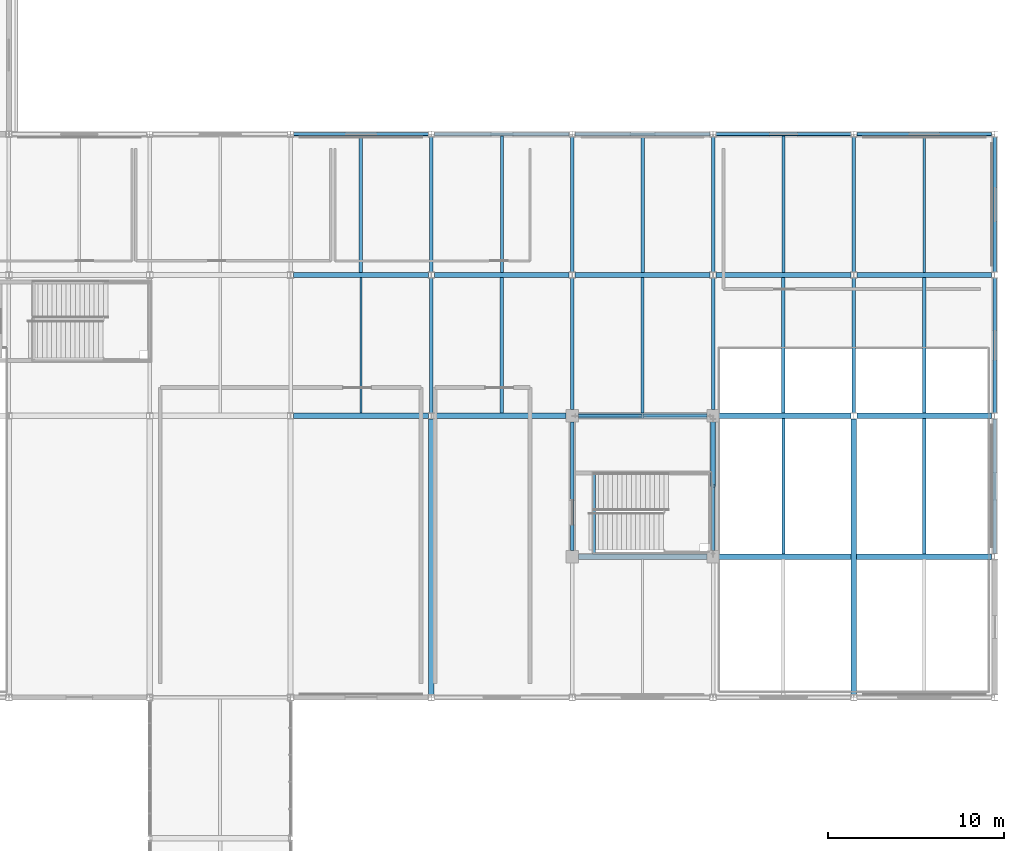
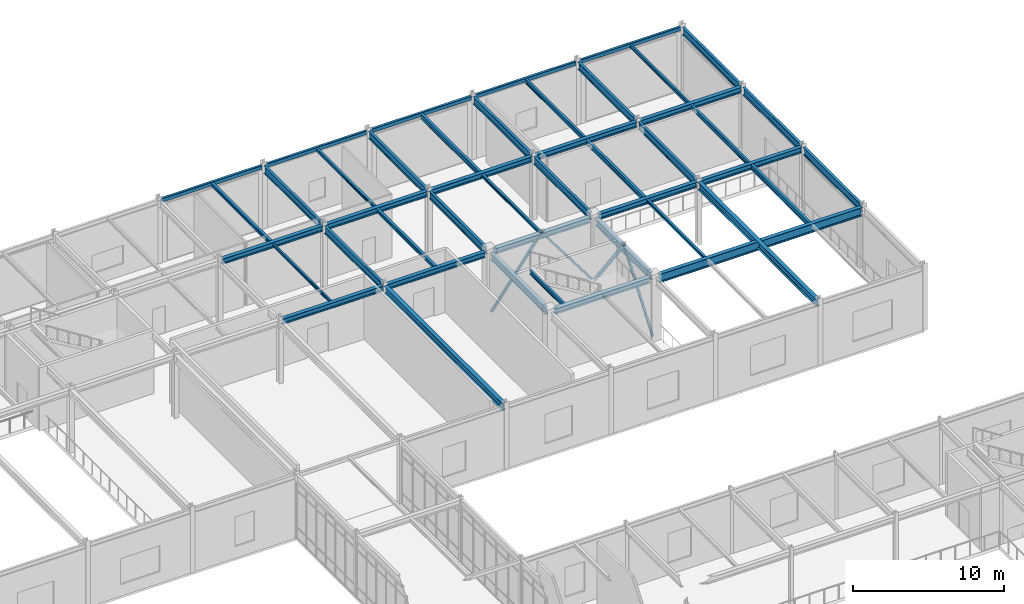
# One storey, part 80 of 184: 45 beams, 4 members.
"""IFC4 building model written with IfcOpenShell, lengths in metres."""

from ifc_helpers import new_model, si_unit, direction, frame, origin, origin_2d, place, context, subcontext, project, spatial, hollow_rectangle, hollow_circle, i_section, extrude, material, material_profile, profile_set, type_object, element, save


model = new_model("IFC4")

# Units and contexts
model_context = context("Model", 3, precision=1e-05, world=origin(), true_north=direction((0.0, 1.0)))
body_context = subcontext(model_context, "Body", "Model", "MODEL_VIEW")
ifc_project = project(units=[si_unit("LENGTHUNIT", "METRE"), si_unit("AREAUNIT", "SQUARE_METRE"), si_unit("VOLUMEUNIT", "CUBIC_METRE"), si_unit("PLANEANGLEUNIT", "RADIAN"), si_unit("MASSUNIT", "GRAM", prefix="KILO")], contexts=[model_context])

# Site, building, storey
site_placement = place(None, origin())
site = spatial("IfcSite", under=ifc_project, at=site_placement, CompositionType="ELEMENT")
building_placement = place(site_placement, origin())
building = spatial("IfcBuilding", under=site, at=building_placement, Name="Zhaolan Boulevard Law Courts", CompositionType="ELEMENT")
storey_placement = place(building_placement, frame((0.0, 0.0, 5.39990234375)))
storey = spatial("IfcBuildingStorey", under=building, at=storey_placement, Name="L01", CompositionType="ELEMENT", Elevation=5.39990234375)

# Members
ifc_material_1 = material(Name="Structural steel Q355B", Category="steel")
ifc_material_profile_1 = material_profile(ifc_material_1, hollow_circle(Radius=0.136474609375, WallThickness=0.010009765625, at=origin_2d()), Name="CHS273x10")
ifc_profile_set_1 = profile_set([ifc_material_profile_1], Name="Structural steel Q355B")
member_type_1 = type_object("IfcMemberType", Name="BRACE CHS273", PredefinedType="BRACE", material=ifc_profile_set_1)
member_1_placement = place(storey_placement, frame((148.0, 77.820068359375, 0.030029296875), z_axis=(0.0, -0.600251625626, 0.799811218935), x_axis=(1.0, 0.0, 0.0)))
element("IfcMember", 1, at=member_1_placement, inside=storey, type_object=member_type_1, Name="Core Brace BR-T2-L01-E2", PredefinedType="BRACE", context=body_context, shape_type="SweptSolid", body=[
    extrude(hollow_circle(Radius=0.136474609375, WallThickness=0.010009765625, at=origin_2d()), origin(), (0.0, 0.0, 1.0), 6.364013671875),
])
ifc_material_2 = material(Name="Structural steel Q355B", Category="steel")
ifc_material_profile_2 = material_profile(ifc_material_2, hollow_rectangle(XDim=0.159912109375, YDim=0.159912109375, WallThickness=0.008056640625, InnerFilletRadius=0.008056640625, OuterFilletRadius=0.01611328125, at=origin_2d()), Name="HSS160x160x8")
ifc_profile_set_2 = profile_set([ifc_material_profile_2], Name="Structural steel Q355B")
member_type_2 = type_object("IfcMemberType", Name="BRACE HSS160", PredefinedType="BRACE", material=ifc_profile_set_2)
for number, where, z_axis, x_axis, name in (
    (2, (147.820068359375, 78.0, 0.030029296875), (-0.600251625626, 0.0, 0.799811218935), (0.0, -1.0, 0.0), "Core Brace BR-T2-L01-N2"),
    (3, (148.0, 70.179931640625, 0.030029296875), (0.0, 0.600251625626, 0.799811218935), (-1.0, 0.0, 0.0), "Core Brace BR-T2-L01-E1"),
):
    element("IfcMember", number, at=place(storey_placement, frame(where, z_axis=z_axis, x_axis=x_axis)), inside=storey, type_object=member_type_2, Name=name, PredefinedType="BRACE", context=body_context, shape_type="SweptSolid", body=[
        extrude(hollow_rectangle(XDim=0.159912109375, YDim=0.159912109375, WallThickness=0.008056640625, InnerFilletRadius=0.008056640625, OuterFilletRadius=0.01611328125, at=origin_2d()), origin(), (0.0, 0.0, 1.0), 6.364013671875),
    ])
ifc_material_3 = material(Name="Structural steel Q355B", Category="steel")
ifc_material_profile_3 = material_profile(ifc_material_3, hollow_rectangle(XDim=0.179931640625, YDim=0.179931640625, WallThickness=0.008056640625, InnerFilletRadius=0.008056640625, OuterFilletRadius=0.01611328125, at=origin_2d()), Name="HSS180x180x8")
ifc_profile_set_3 = profile_set([ifc_material_profile_3], Name="Structural steel Q355B")
member_type_3 = type_object("IfcMemberType", Name="BRACE HSS180", PredefinedType="BRACE", material=ifc_profile_set_3)
member_2_placement = place(storey_placement, frame((140.179931640625, 78.0, 0.030029296875), z_axis=(0.600251625626, 0.0, 0.799811218935), x_axis=(0.0, 1.0, 0.0)))
element("IfcMember", 4, at=member_2_placement, inside=storey, type_object=member_type_3, Name="Core Brace BR-T2-L01-N1", PredefinedType="BRACE", context=body_context, shape_type="SweptSolid", body=[
    extrude(hollow_rectangle(XDim=0.179931640625, YDim=0.179931640625, WallThickness=0.008056640625, InnerFilletRadius=0.008056640625, OuterFilletRadius=0.01611328125, at=origin_2d()), origin(), (0.0, 0.0, 1.0), 6.364013671875),
])

# Beams
ifc_material_4 = material(Name="Structural steel Q355B", Category="steel")
ifc_material_profile_4 = material_profile(ifc_material_4, i_section(OverallWidth=0.300048828125, OverallDepth=0.43994140625, WebThickness=0.010986328125, FlangeThickness=0.01806640625, FilletRadius=0.02001953125, at=origin_2d()), Name="HM440x300")
ifc_profile_set_4 = profile_set([ifc_material_profile_4], Name="Structural steel Q355B")
beam_type_1 = type_object("IfcBeamType", Name="GIRDER HM440", PredefinedType="BEAM", material=ifc_profile_set_4)
beam_1_placement = place(storey_placement, frame((140.345947265625, 70.0, 4.898193359375), z_axis=(1.0, 0.0, 0.0), x_axis=(0.0, 1.0, 0.0)))
element("IfcBeam", 5, at=beam_1_placement, inside=storey, type_object=beam_type_1, Name="Beam BX-L02-18-19-K", PredefinedType="BEAM", context=body_context, shape_type="SweptSolid", body=[
    extrude(i_section(OverallWidth=0.300048828125, OverallDepth=0.43994140625, WebThickness=0.010986328125, FlangeThickness=0.01806640625, FilletRadius=0.02001953125, at=origin_2d()), origin(), (0.0, 0.0, 1.0), 7.30810546875),
])
beam_2_placement = place(storey_placement, frame((124.1708984375, 78.0, 4.898193359375), z_axis=(1.0, 0.0, 0.0), x_axis=(0.0, 1.0, 0.0)))
element("IfcBeam", 6, at=beam_2_placement, inside=storey, type_object=beam_type_1, Name="Beam BX-L02-16-17-L", PredefinedType="BEAM", context=body_context, shape_type="SweptSolid", body=[
    extrude(i_section(OverallWidth=0.300048828125, OverallDepth=0.43994140625, WebThickness=0.010986328125, FlangeThickness=0.01806640625, FilletRadius=0.02001953125, at=origin_2d()), origin(), (0.0, 0.0, 1.0), 7.658203125),
])
beam_3_placement = place(storey_placement, frame((132.1708984375, 78.0, 4.898193359375), z_axis=(1.0, 0.0, 0.0), x_axis=(0.0, 1.0, 0.0)))
element("IfcBeam", 7, at=beam_3_placement, inside=storey, type_object=beam_type_1, Name="Beam BX-L02-17-18-L", PredefinedType="BEAM", context=body_context, shape_type="SweptSolid", body=[
    extrude(i_section(OverallWidth=0.300048828125, OverallDepth=0.43994140625, WebThickness=0.010986328125, FlangeThickness=0.01806640625, FilletRadius=0.02001953125, at=origin_2d()), origin(), (0.0, 0.0, 1.0), 7.483154296875),
])
beam_4_placement = place(storey_placement, frame((140.345947265625, 78.0, 4.898193359375), z_axis=(1.0, 0.0, 0.0), x_axis=(0.0, 1.0, 0.0)))
element("IfcBeam", 8, at=beam_4_placement, inside=storey, type_object=beam_type_1, Name="Beam BX-L02-18-19-L", PredefinedType="BEAM", context=body_context, shape_type="SweptSolid", body=[
    extrude(i_section(OverallWidth=0.300048828125, OverallDepth=0.43994140625, WebThickness=0.010986328125, FlangeThickness=0.01806640625, FilletRadius=0.02001953125, at=origin_2d()), origin(), (0.0, 0.0, 1.0), 7.30810546875),
])
beam_5_placement = place(storey_placement, frame((148.345947265625, 78.0, 4.898193359375), z_axis=(1.0, 0.0, 0.0), x_axis=(0.0, 1.0, 0.0)))
element("IfcBeam", 9, at=beam_5_placement, inside=storey, type_object=beam_type_1, Name="Beam BX-L02-19-20-L", PredefinedType="BEAM", context=body_context, shape_type="SweptSolid", body=[
    extrude(i_section(OverallWidth=0.300048828125, OverallDepth=0.43994140625, WebThickness=0.010986328125, FlangeThickness=0.01806640625, FilletRadius=0.02001953125, at=origin_2d()), origin(), (0.0, 0.0, 1.0), 7.483154296875),
])
for number, where, z_axis, x_axis, name in (
    (10, (156.1708984375, 78.0, 4.898193359375), (1.0, 0.0, 0.0), (0.0, 1.0, 0.0), "Beam BX-L02-20-21-L"),
    (11, (124.1708984375, 86.0, 4.898193359375), (1.0, 0.0, 0.0), (0.0, 1.0, 0.0), "Beam BX-L02-16-17-M"),
    (12, (132.1708984375, 86.0, 4.898193359375), (1.0, 0.0, 0.0), (0.0, 1.0, 0.0), "Beam BX-L02-17-18-M"),
    (13, (140.1708984375, 86.0, 4.898193359375), (1.0, 0.0, 0.0), (0.0, 1.0, 0.0), "Beam BX-L02-18-19-M"),
    (14, (148.1708984375, 86.0, 4.898193359375), (1.0, 0.0, 0.0), (0.0, 1.0, 0.0), "Beam BX-L02-19-20-M"),
    (15, (156.1708984375, 86.0, 4.898193359375), (1.0, 0.0, 0.0), (0.0, 1.0, 0.0), "Beam BX-L02-20-21-M"),
):
    element("IfcBeam", number, at=place(storey_placement, frame(where, z_axis=z_axis, x_axis=x_axis)), inside=storey, type_object=beam_type_1, Name=name, PredefinedType="BEAM", context=body_context, shape_type="SweptSolid", body=[
        extrude(i_section(OverallWidth=0.300048828125, OverallDepth=0.43994140625, WebThickness=0.010986328125, FlangeThickness=0.01806640625, FilletRadius=0.02001953125, at=origin_2d()), origin(), (0.0, 0.0, 1.0), 7.658203125),
    ])
ifc_material_5 = material(Name="Structural steel Q390B", Category="steel")
ifc_material_profile_5 = material_profile(ifc_material_5, i_section(OverallWidth=0.300048828125, OverallDepth=0.587890625, WebThickness=0.011962890625, FlangeThickness=0.02001953125, FilletRadius=0.02392578125, at=origin_2d()), Name="HM588x300")
ifc_profile_set_5 = profile_set([ifc_material_profile_5], Name="Structural steel Q390B")
beam_type_2 = type_object("IfcBeamType", Name="GIRDER HM588", PredefinedType="BEAM", material=ifc_profile_set_5)
for number, where, z_axis, x_axis, name in (
    (16, (132.0, 62.1708984375, 4.82421875), (0.0, 1.0, 0.0), (-1.0, 0.0, 0.0), "Beam BY-L02-17-J-L"),
    (17, (156.0, 62.1708984375, 4.82421875), (0.0, 1.0, 0.0), (-1.0, 0.0, 0.0), "Beam BY-L02-20-J-L"),
):
    element("IfcBeam", number, at=place(storey_placement, frame(where, z_axis=z_axis, x_axis=x_axis)), inside=storey, type_object=beam_type_2, Name=name, PredefinedType="BEAM", context=body_context, shape_type="SweptSolid", body=[
        extrude(i_section(OverallWidth=0.300048828125, OverallDepth=0.587890625, WebThickness=0.011962890625, FlangeThickness=0.02001953125, FilletRadius=0.02392578125, at=origin_2d()), origin(), (0.0, 0.0, 1.0), 15.658203125),
    ])
ifc_material_6 = material(Name="Structural steel Q355B", Category="steel")
ifc_material_profile_6 = material_profile(ifc_material_6, i_section(OverallWidth=0.199951171875, OverallDepth=0.60009765625, WebThickness=0.010986328125, FlangeThickness=0.01708984375, FilletRadius=0.02001953125, at=origin_2d()), Name="HN600x200")
ifc_profile_set_6 = profile_set([ifc_material_profile_6], Name="Structural steel Q355B")
beam_type_3 = type_object("IfcBeamType", Name="GIRDER HN600", PredefinedType="BEAM", material=ifc_profile_set_6)
for number, where, z_axis, x_axis, name in (
    (18, (132.0, 78.1708984375, 4.818115234375), (0.0, 1.0, 0.0), (-1.0, 0.0, 0.0), "Beam BY-L02-17-L-M"),
    (19, (132.0, 86.1708984375, 4.818115234375), (0.0, 1.0, 0.0), (-1.0, 0.0, 0.0), "Beam BY-L02-17-M-N"),
):
    element("IfcBeam", number, at=place(storey_placement, frame(where, z_axis=z_axis, x_axis=x_axis)), inside=storey, type_object=beam_type_3, Name=name, PredefinedType="BEAM", context=body_context, shape_type="SweptSolid", body=[
        extrude(i_section(OverallWidth=0.199951171875, OverallDepth=0.60009765625, WebThickness=0.010986328125, FlangeThickness=0.01708984375, FilletRadius=0.02001953125, at=origin_2d()), origin(), (0.0, 0.0, 1.0), 7.658203125),
    ])
beam_6_placement = place(storey_placement, frame((140.0, 70.345947265625, 4.818115234375), z_axis=(0.0, 1.0, 0.0), x_axis=(-1.0, 0.0, 0.0)))
element("IfcBeam", 20, at=beam_6_placement, inside=storey, type_object=beam_type_3, Name="Beam BY-L02-18-K-L", PredefinedType="BEAM", context=body_context, shape_type="SweptSolid", body=[
    extrude(i_section(OverallWidth=0.199951171875, OverallDepth=0.60009765625, WebThickness=0.010986328125, FlangeThickness=0.01708984375, FilletRadius=0.02001953125, at=origin_2d()), origin(), (0.0, 0.0, 1.0), 7.30810546875),
])
beam_7_placement = place(storey_placement, frame((140.0, 78.345947265625, 4.818115234375), z_axis=(0.0, 1.0, 0.0), x_axis=(-1.0, 0.0, 0.0)))
element("IfcBeam", 21, at=beam_7_placement, inside=storey, type_object=beam_type_3, Name="Beam BY-L02-18-L-M", PredefinedType="BEAM", context=body_context, shape_type="SweptSolid", body=[
    extrude(i_section(OverallWidth=0.199951171875, OverallDepth=0.60009765625, WebThickness=0.010986328125, FlangeThickness=0.01708984375, FilletRadius=0.02001953125, at=origin_2d()), origin(), (0.0, 0.0, 1.0), 7.483154296875),
])
beam_8_placement = place(storey_placement, frame((140.0, 86.1708984375, 4.818115234375), z_axis=(0.0, 1.0, 0.0), x_axis=(-1.0, 0.0, 0.0)))
element("IfcBeam", 22, at=beam_8_placement, inside=storey, type_object=beam_type_3, Name="Beam BY-L02-18-M-N", PredefinedType="BEAM", context=body_context, shape_type="SweptSolid", body=[
    extrude(i_section(OverallWidth=0.199951171875, OverallDepth=0.60009765625, WebThickness=0.010986328125, FlangeThickness=0.01708984375, FilletRadius=0.02001953125, at=origin_2d()), origin(), (0.0, 0.0, 1.0), 7.658203125),
])
beam_9_placement = place(storey_placement, frame((148.0, 70.345947265625, 4.818115234375), z_axis=(0.0, 1.0, 0.0), x_axis=(-1.0, 0.0, 0.0)))
element("IfcBeam", 23, at=beam_9_placement, inside=storey, type_object=beam_type_3, Name="Beam BY-L02-19-K-L", PredefinedType="BEAM", context=body_context, shape_type="SweptSolid", body=[
    extrude(i_section(OverallWidth=0.199951171875, OverallDepth=0.60009765625, WebThickness=0.010986328125, FlangeThickness=0.01708984375, FilletRadius=0.02001953125, at=origin_2d()), origin(), (0.0, 0.0, 1.0), 7.30810546875),
])
beam_10_placement = place(storey_placement, frame((148.0, 78.345947265625, 4.818115234375), z_axis=(0.0, 1.0, 0.0), x_axis=(-1.0, 0.0, 0.0)))
element("IfcBeam", 24, at=beam_10_placement, inside=storey, type_object=beam_type_3, Name="Beam BY-L02-19-L-M", PredefinedType="BEAM", context=body_context, shape_type="SweptSolid", body=[
    extrude(i_section(OverallWidth=0.199951171875, OverallDepth=0.60009765625, WebThickness=0.010986328125, FlangeThickness=0.01708984375, FilletRadius=0.02001953125, at=origin_2d()), origin(), (0.0, 0.0, 1.0), 7.483154296875),
])
for number, where, z_axis, x_axis, name in (
    (25, (148.0, 86.1708984375, 4.818115234375), (0.0, 1.0, 0.0), (-1.0, 0.0, 0.0), "Beam BY-L02-19-M-N"),
    (26, (156.0, 78.1708984375, 4.818115234375), (0.0, 1.0, 0.0), (-1.0, 0.0, 0.0), "Beam BY-L02-20-L-M"),
    (27, (156.0, 86.1708984375, 4.818115234375), (0.0, 1.0, 0.0), (-1.0, 0.0, 0.0), "Beam BY-L02-20-M-N"),
    (28, (164.0, 70.1708984375, 4.818115234375), (0.0, 1.0, 0.0), (-1.0, 0.0, 0.0), "Beam BY-L02-21-K-L"),
    (29, (164.0, 78.1708984375, 4.818115234375), (0.0, 1.0, 0.0), (-1.0, 0.0, 0.0), "Beam BY-L02-21-L-M"),
    (30, (164.0, 86.1708984375, 4.818115234375), (0.0, 1.0, 0.0), (-1.0, 0.0, 0.0), "Beam BY-L02-21-M-N"),
):
    element("IfcBeam", number, at=place(storey_placement, frame(where, z_axis=z_axis, x_axis=x_axis)), inside=storey, type_object=beam_type_3, Name=name, PredefinedType="BEAM", context=body_context, shape_type="SweptSolid", body=[
        extrude(i_section(OverallWidth=0.199951171875, OverallDepth=0.60009765625, WebThickness=0.010986328125, FlangeThickness=0.01708984375, FilletRadius=0.02001953125, at=origin_2d()), origin(), (0.0, 0.0, 1.0), 7.658203125),
    ])
ifc_material_7 = material(Name="Structural steel Q390B", Category="steel")
ifc_material_profile_7 = material_profile(ifc_material_7, i_section(OverallWidth=0.300048828125, OverallDepth=0.699951171875, WebThickness=0.012939453125, FlangeThickness=0.02392578125, FilletRadius=0.02392578125, at=origin_2d()), Name="HN700x300")
ifc_profile_set_7 = profile_set([ifc_material_profile_7], Name="Structural steel Q390B")
beam_type_4 = type_object("IfcBeamType", Name="GIRDER HN700", PredefinedType="BEAM", material=ifc_profile_set_7)
beam_11_placement = place(storey_placement, frame((148.345947265625, 70.0, 4.76806640625), z_axis=(1.0, 0.0, 0.0), x_axis=(0.0, 1.0, 0.0)))
element("IfcBeam", 31, at=beam_11_placement, inside=storey, type_object=beam_type_4, Name="Beam BX-L02-19-21-K", PredefinedType="BEAM", context=body_context, shape_type="SweptSolid", body=[
    extrude(i_section(OverallWidth=0.300048828125, OverallDepth=0.699951171875, WebThickness=0.012939453125, FlangeThickness=0.02392578125, FilletRadius=0.02392578125, at=origin_2d()), origin(), (0.0, 0.0, 1.0), 15.483154296875),
])
ifc_material_8 = material(Name="Structural steel Q355B", Category="steel")
ifc_material_profile_8 = material_profile(ifc_material_8, i_section(OverallWidth=0.175048828125, OverallDepth=0.243896484375, WebThickness=0.007080078125, FlangeThickness=0.010986328125, FilletRadius=0.012939453125, at=origin_2d()), Name="HM244x175")
ifc_profile_set_8 = profile_set([ifc_material_profile_8], Name="Structural steel Q355B")
beam_type_5 = type_object("IfcBeamType", Name="JOIST HM244", PredefinedType="JOIST", material=ifc_profile_set_8)
beam_12_placement = place(storey_placement, frame((136.0, 86.14599609375, 4.99609375), z_axis=(0.0, 1.0, 0.0), x_axis=(-1.0, 0.0, 0.0)))
element("IfcBeam", 32, at=beam_12_placement, inside=storey, type_object=beam_type_5, Name="Composite Joist J-L02-17M", PredefinedType="JOIST", context=body_context, shape_type="SweptSolid", body=[
    extrude(i_section(OverallWidth=0.175048828125, OverallDepth=0.243896484375, WebThickness=0.007080078125, FlangeThickness=0.010986328125, FilletRadius=0.012939453125, at=origin_2d()), origin(), (0.0, 0.0, 1.0), 7.758056640625),
])
for number, where, z_axis, x_axis, name in (
    (33, (144.0, 78.14599609375, 4.99609375), (0.0, 1.0, 0.0), (-1.0, 0.0, 0.0), "Composite Joist J-L02-18L"),
    (34, (152.0, 70.14599609375, 4.99609375), (0.0, 1.0, 0.0), (-1.0, 0.0, 0.0), "Composite Joist J-L02-19K"),
):
    element("IfcBeam", number, at=place(storey_placement, frame(where, z_axis=z_axis, x_axis=x_axis)), inside=storey, type_object=beam_type_5, Name=name, PredefinedType="JOIST", context=body_context, shape_type="SweptSolid", body=[
        extrude(i_section(OverallWidth=0.175048828125, OverallDepth=0.243896484375, WebThickness=0.007080078125, FlangeThickness=0.010986328125, FilletRadius=0.012939453125, at=origin_2d()), origin(), (0.0, 0.0, 1.0), 7.7080078125),
    ])
ifc_material_9 = material(Name="Structural steel Q355B", Category="steel")
ifc_material_profile_9 = material_profile(ifc_material_9, i_section(OverallWidth=0.199951171875, OverallDepth=0.2939453125, WebThickness=0.008056640625, FlangeThickness=0.011962890625, FilletRadius=0.01611328125, at=origin_2d()), Name="HM294x200")
ifc_profile_set_9 = profile_set([ifc_material_profile_9], Name="Structural steel Q355B")
beam_type_6 = type_object("IfcBeamType", Name="JOIST HM294", PredefinedType="JOIST", material=ifc_profile_set_9)
beam_13_placement = place(storey_placement, frame((128.0, 86.14599609375, 4.97119140625), z_axis=(0.0, 1.0, 0.0), x_axis=(-1.0, 0.0, 0.0)))
element("IfcBeam", 35, at=beam_13_placement, inside=storey, type_object=beam_type_6, Name="Composite Joist J-L02-16M", PredefinedType="JOIST", context=body_context, shape_type="SweptSolid", body=[
    extrude(i_section(OverallWidth=0.199951171875, OverallDepth=0.2939453125, WebThickness=0.008056640625, FlangeThickness=0.011962890625, FilletRadius=0.01611328125, at=origin_2d()), origin(), (0.0, 0.0, 1.0), 7.758056640625),
])
beam_14_placement = place(storey_placement, frame((136.0, 78.14599609375, 4.97119140625), z_axis=(0.0, 1.0, 0.0), x_axis=(-1.0, 0.0, 0.0)))
element("IfcBeam", 36, at=beam_14_placement, inside=storey, type_object=beam_type_6, Name="Composite Joist J-L02-17L", PredefinedType="JOIST", context=body_context, shape_type="SweptSolid", body=[
    extrude(i_section(OverallWidth=0.199951171875, OverallDepth=0.2939453125, WebThickness=0.008056640625, FlangeThickness=0.011962890625, FilletRadius=0.01611328125, at=origin_2d()), origin(), (0.0, 0.0, 1.0), 7.7080078125),
])
ifc_material_10 = material(Name="Structural steel Q355B", Category="steel")
ifc_material_profile_10 = material_profile(ifc_material_10, i_section(OverallWidth=0.125, OverallDepth=0.25, WebThickness=0.006103515625, FlangeThickness=0.009033203125, FilletRadius=0.010009765625, at=origin_2d()), Name="HN250x125")
ifc_profile_set_10 = profile_set([ifc_material_profile_10], Name="Structural steel Q355B")
beam_type_7 = type_object("IfcBeamType", Name="JOIST HN250", PredefinedType="JOIST", material=ifc_profile_set_10)
beam_15_placement = place(storey_placement, frame((128.0, 78.14599609375, 4.9931640625), z_axis=(0.0, 1.0, 0.0), x_axis=(-1.0, 0.0, 0.0)))
element("IfcBeam", 37, at=beam_15_placement, inside=storey, type_object=beam_type_7, Name="Composite Joist J-L02-16L", PredefinedType="JOIST", context=body_context, shape_type="SweptSolid", body=[
    extrude(i_section(OverallWidth=0.125, OverallDepth=0.25, WebThickness=0.006103515625, FlangeThickness=0.009033203125, FilletRadius=0.010009765625, at=origin_2d()), origin(), (0.0, 0.0, 1.0), 7.7080078125),
])
ifc_material_11 = material(Name="Structural steel Q355B", Category="steel")
ifc_material_profile_11 = material_profile(ifc_material_11, i_section(OverallWidth=0.14990234375, OverallDepth=0.300048828125, WebThickness=0.006591796875, FlangeThickness=0.009033203125, FilletRadius=0.010986328125, at=origin_2d()), Name="HN300x150")
ifc_profile_set_11 = profile_set([ifc_material_profile_11], Name="Structural steel Q355B")
beam_type_8 = type_object("IfcBeamType", Name="JOIST HN300", PredefinedType="JOIST", material=ifc_profile_set_11)
beam_16_placement = place(storey_placement, frame((160.0, 86.14599609375, 4.968017578125), z_axis=(0.0, 1.0, 0.0), x_axis=(-1.0, 0.0, 0.0)))
element("IfcBeam", 38, at=beam_16_placement, inside=storey, type_object=beam_type_8, Name="Composite Joist J-L02-20M", PredefinedType="JOIST", context=body_context, shape_type="SweptSolid", body=[
    extrude(i_section(OverallWidth=0.14990234375, OverallDepth=0.300048828125, WebThickness=0.006591796875, FlangeThickness=0.009033203125, FilletRadius=0.010986328125, at=origin_2d()), origin(), (0.0, 0.0, 1.0), 7.758056640625),
])
ifc_material_12 = material(Name="Structural steel Q355B", Category="steel")
ifc_material_profile_12 = material_profile(ifc_material_12, i_section(OverallWidth=0.175048828125, OverallDepth=0.35009765625, WebThickness=0.007080078125, FlangeThickness=0.010986328125, FilletRadius=0.012939453125, at=origin_2d()), Name="HN350x175")
ifc_profile_set_12 = profile_set([ifc_material_profile_12], Name="Structural steel Q355B")
beam_type_9 = type_object("IfcBeamType", Name="JOIST HN350", PredefinedType="JOIST", material=ifc_profile_set_12)
beam_17_placement = place(storey_placement, frame((152.0, 86.14599609375, 4.943115234375), z_axis=(0.0, 1.0, 0.0), x_axis=(-1.0, 0.0, 0.0)))
element("IfcBeam", 39, at=beam_17_placement, inside=storey, type_object=beam_type_9, Name="Composite Joist J-L02-19M", PredefinedType="JOIST", context=body_context, shape_type="SweptSolid", body=[
    extrude(i_section(OverallWidth=0.175048828125, OverallDepth=0.35009765625, WebThickness=0.007080078125, FlangeThickness=0.010986328125, FilletRadius=0.012939453125, at=origin_2d()), origin(), (0.0, 0.0, 1.0), 7.758056640625),
])
beam_18_placement = place(storey_placement, frame((160.0, 78.14599609375, 4.943115234375), z_axis=(0.0, 1.0, 0.0), x_axis=(-1.0, 0.0, 0.0)))
element("IfcBeam", 40, at=beam_18_placement, inside=storey, type_object=beam_type_9, Name="Composite Joist J-L02-20L", PredefinedType="JOIST", context=body_context, shape_type="SweptSolid", body=[
    extrude(i_section(OverallWidth=0.175048828125, OverallDepth=0.35009765625, WebThickness=0.007080078125, FlangeThickness=0.010986328125, FilletRadius=0.012939453125, at=origin_2d()), origin(), (0.0, 0.0, 1.0), 7.7080078125),
])
ifc_material_13 = material(Name="Structural steel Q355B", Category="steel")
ifc_material_profile_13 = material_profile(ifc_material_13, i_section(OverallWidth=0.199951171875, OverallDepth=0.39990234375, WebThickness=0.008056640625, FlangeThickness=0.012939453125, FilletRadius=0.013916015625, at=origin_2d()), Name="HN400x200")
ifc_profile_set_13 = profile_set([ifc_material_profile_13], Name="Structural steel Q355B")
beam_type_10 = type_object("IfcBeamType", Name="JOIST HN400", PredefinedType="JOIST", material=ifc_profile_set_13)
beam_19_placement = place(storey_placement, frame((144.0, 86.14599609375, 4.918212890625), z_axis=(0.0, 1.0, 0.0), x_axis=(-1.0, 0.0, 0.0)))
element("IfcBeam", 41, at=beam_19_placement, inside=storey, type_object=beam_type_10, Name="Composite Joist J-L02-18M", PredefinedType="JOIST", context=body_context, shape_type="SweptSolid", body=[
    extrude(i_section(OverallWidth=0.199951171875, OverallDepth=0.39990234375, WebThickness=0.008056640625, FlangeThickness=0.012939453125, FilletRadius=0.013916015625, at=origin_2d()), origin(), (0.0, 0.0, 1.0), 7.758056640625),
])
for number, where, z_axis, x_axis, name in (
    (42, (152.0, 78.14599609375, 4.918212890625), (0.0, 1.0, 0.0), (-1.0, 0.0, 0.0), "Composite Joist J-L02-19L"),
    (43, (160.0, 70.14599609375, 4.918212890625), (0.0, 1.0, 0.0), (-1.0, 0.0, 0.0), "Composite Joist J-L02-20K"),
):
    element("IfcBeam", number, at=place(storey_placement, frame(where, z_axis=z_axis, x_axis=x_axis)), inside=storey, type_object=beam_type_10, Name=name, PredefinedType="JOIST", context=body_context, shape_type="SweptSolid", body=[
        extrude(i_section(OverallWidth=0.199951171875, OverallDepth=0.39990234375, WebThickness=0.008056640625, FlangeThickness=0.012939453125, FilletRadius=0.013916015625, at=origin_2d()), origin(), (0.0, 0.0, 1.0), 7.7080078125),
    ])
ifc_material_14 = material(Name="Structural steel Q355B", Category="steel")
ifc_material_profile_14 = material_profile(ifc_material_14, hollow_rectangle(XDim=0.199951171875, YDim=0.300048828125, WallThickness=0.011962890625, InnerFilletRadius=0.011962890625, OuterFilletRadius=0.02392578125, at=origin_2d()), Name="HSS300x200x12")
ifc_profile_set_14 = profile_set([ifc_material_profile_14], Name="Structural steel Q355B")
beam_type_11 = type_object("IfcBeamType", Name="SPANDREL HSS300", PredefinedType="SPANDREL", material=ifc_profile_set_14)
for number, where, z_axis, x_axis, name in (
    (44, (124.1708984375, 94.0, 4.968017578125), (1.0, 0.0, 0.0), (0.0, 1.0, 0.0), "Beam BX-L02-16-17-N"),
    (45, (132.1708984375, 94.0, 4.968017578125), (1.0, 0.0, 0.0), (0.0, 1.0, 0.0), "Beam BX-L02-17-18-N"),
    (46, (140.1708984375, 94.0, 4.968017578125), (1.0, 0.0, 0.0), (0.0, 1.0, 0.0), "Beam BX-L02-18-19-N"),
    (47, (148.1708984375, 94.0, 4.968017578125), (1.0, 0.0, 0.0), (0.0, 1.0, 0.0), "Beam BX-L02-19-20-N"),
    (48, (156.1708984375, 94.0, 4.968017578125), (1.0, 0.0, 0.0), (0.0, 1.0, 0.0), "Beam BX-L02-20-21-N"),
):
    element("IfcBeam", number, at=place(storey_placement, frame(where, z_axis=z_axis, x_axis=x_axis)), inside=storey, type_object=beam_type_11, Name=name, PredefinedType="SPANDREL", context=body_context, shape_type="SweptSolid", body=[
        extrude(hollow_rectangle(XDim=0.199951171875, YDim=0.300048828125, WallThickness=0.011962890625, InnerFilletRadius=0.011962890625, OuterFilletRadius=0.02392578125, at=origin_2d()), origin(), (0.0, 0.0, 1.0), 7.658203125),
    ])
ifc_material_15 = material(Name="Structural steel Q355B", Category="steel")
ifc_material_profile_15 = material_profile(ifc_material_15, i_section(OverallWidth=0.175048828125, OverallDepth=0.35009765625, WebThickness=0.007080078125, FlangeThickness=0.010986328125, FilletRadius=0.012939453125, at=origin_2d()), Name="HN350x175")
ifc_profile_set_15 = profile_set([ifc_material_profile_15], Name="Structural steel Q355B")
beam_type_12 = type_object("IfcBeamType", Name="STAIR TRIMMER HN350", PredefinedType="BEAM", material=ifc_profile_set_15)
beam_20_placement = place(storey_placement, frame((141.235107421875, 70.1650390625, 4.93505859375), z_axis=(0.0, 1.0, 0.0), x_axis=(-1.0, 0.0, 0.0)))
element("IfcBeam", 49, at=beam_20_placement, inside=storey, type_object=beam_type_12, Name="Stair Landing Trimmer Beam STB-ST09-L02", PredefinedType="BEAM", context=body_context, shape_type="SweptSolid", body=[
    extrude(i_section(OverallWidth=0.175048828125, OverallDepth=0.35009765625, WebThickness=0.007080078125, FlangeThickness=0.010986328125, FilletRadius=0.012939453125, at=origin_2d()), origin(), (0.0, 0.0, 1.0), 4.544921875),
])

save(model, "model.ifc")
